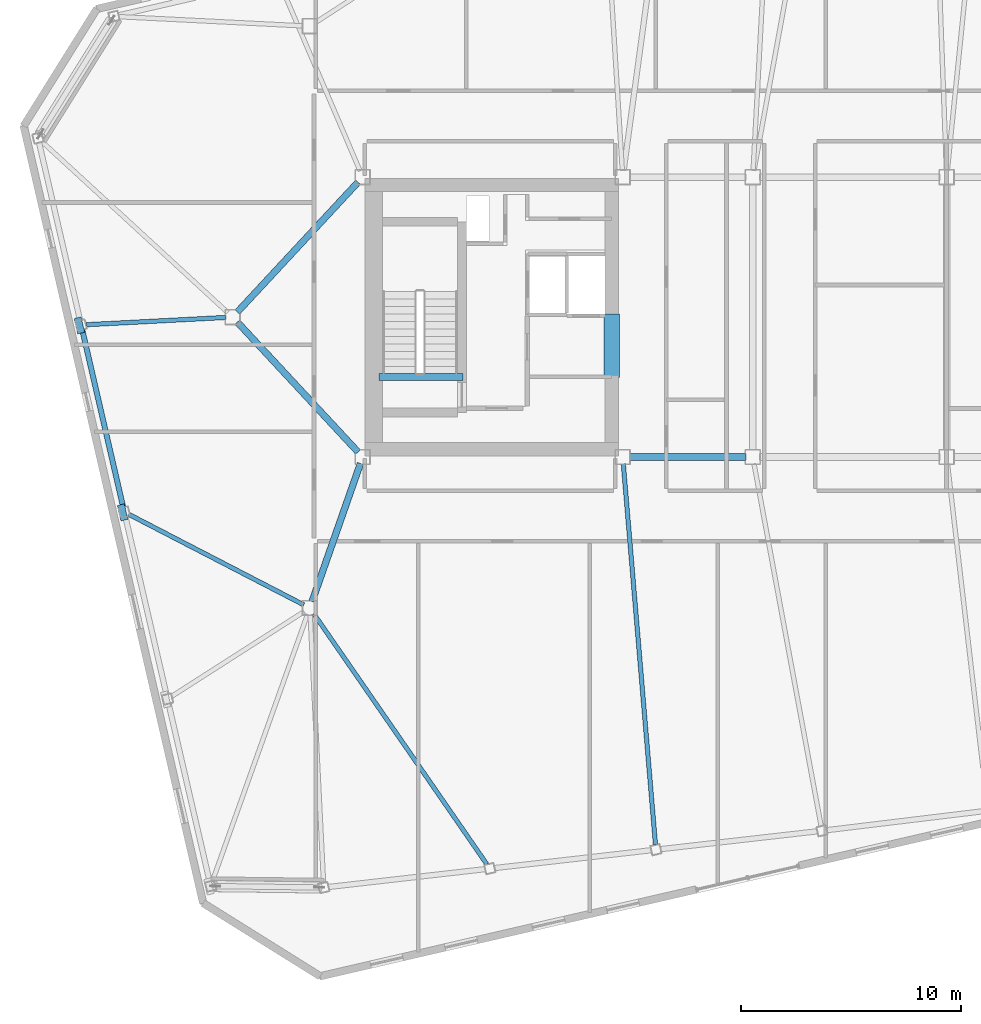
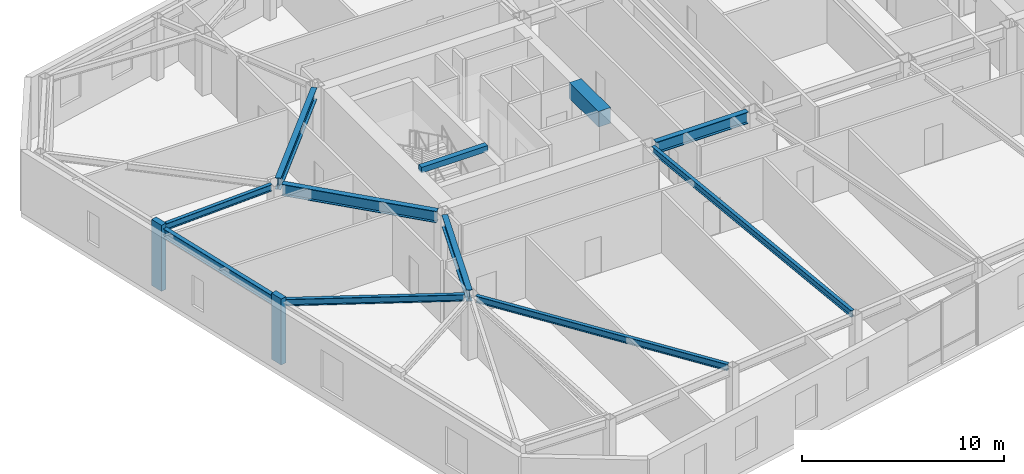
# One storey, part 7 of 22: 11 beams, 2 members.
"""IFC4 building model written with IfcOpenShell, lengths in metres."""

from ifc_helpers import new_model, si_unit, direction, frame, origin, origin_2d, place, context, subcontext, project, spatial, rectangle, i_section, extrude, material, material_profile, profile_set, type_object, element, save


model = new_model("IFC4")

# Units and contexts
model_context = context("Model", 3, precision=1e-05, world=origin(), true_north=direction((0.0, 1.0)))
body_context = subcontext(model_context, "Body", "Model", "MODEL_VIEW")
ifc_project = project(units=[si_unit("LENGTHUNIT", "METRE"), si_unit("AREAUNIT", "SQUARE_METRE"), si_unit("VOLUMEUNIT", "CUBIC_METRE"), si_unit("PLANEANGLEUNIT", "RADIAN"), si_unit("MASSUNIT", "GRAM", prefix="KILO")], contexts=[model_context])

# Site, building, storey
site_placement = place(None, origin())
site = spatial("IfcSite", under=ifc_project, at=site_placement, CompositionType="ELEMENT")
building_placement = place(site_placement, origin())
building = spatial("IfcBuilding", under=site, at=building_placement, Name="Tavrogorsk Clinical Tower", CompositionType="ELEMENT")
storey_placement = place(building_placement, frame((0.0, 0.0, 317.0)))
storey = spatial("IfcBuildingStorey", under=building, at=storey_placement, Name="L74", CompositionType="ELEMENT", Elevation=317.0)

# Beams
ifc_material_1 = material(Name="Concrete B80", Category="concrete")
ifc_material_profile_1 = material_profile(ifc_material_1, rectangle(XDim=0.699951171875, YDim=0.949951171875, at=origin_2d()), Name="RC-CB-700x950")
ifc_profile_set_1 = profile_set([ifc_material_profile_1], Name="Concrete B80")
beam_type_1 = type_object("IfcBeamType", Name="CouplingBeam_RC700x950", PredefinedType="LINTEL", material=ifc_profile_set_1)
beam_1_placement = place(storey_placement, frame((-10.800048828125, -2.75, 3.264892578125), z_axis=(0.0, 1.0, 0.0), x_axis=(-1.0, 0.0, 0.0)))
element("IfcBeam", 1, at=beam_1_placement, inside=storey, type_object=beam_type_1, Name="L74 Core West Coupling Beam", PredefinedType="LINTEL", context=body_context, shape_type="SweptSolid", body=[
    extrude(rectangle(XDim=0.699951171875, YDim=0.949951171875, at=origin_2d()), origin(), (0.0, 0.0, 1.0), 2.89990234375),
])
ifc_material_2 = material(Name="Structural steel S355", Category="steel")
ifc_material_profile_2 = material_profile(ifc_material_2, i_section(OverallWidth=0.199951171875, OverallDepth=0.39990234375, WebThickness=0.010498046875, FlangeThickness=0.01611328125, at=origin_2d()), Name="B-400x200x10.5x16")
ifc_profile_set_2 = profile_set([ifc_material_profile_2], Name="Structural steel S355")
beam_type_2 = type_object("IfcBeamType", Name="FloorBeam_B400", PredefinedType="BEAM", material=ifc_profile_set_2)
beam_2_placement = place(storey_placement, frame((-24.32373046875, -13.455078125, 3.5400390625), z_axis=(0.568335848504, -0.82279667191, 0.0), x_axis=(0.82279667191, 0.568335848504, 0.0)))
element("IfcBeam", 2, at=beam_2_placement, inside=storey, type_object=beam_type_2, Name="L74 Radial Floor Beam S2", PredefinedType="BEAM", context=body_context, shape_type="SweptSolid", body=[
    extrude(i_section(OverallWidth=0.199951171875, OverallDepth=0.39990234375, WebThickness=0.010498046875, FlangeThickness=0.01611328125, at=origin_2d()), origin(), (0.0, 0.0, 1.0), 13.831298828125),
])
beam_3_placement = place(storey_placement, frame((-10.27392578125, -6.658935546875, 3.5400390625), z_axis=(0.084215365049, -0.996447576288, 0.0), x_axis=(0.996447576288, 0.084215365049, 0.0)))
element("IfcBeam", 3, at=beam_3_placement, inside=storey, type_object=beam_type_2, Name="L74 Radial Floor Beam S3", PredefinedType="BEAM", context=body_context, shape_type="SweptSolid", body=[
    extrude(i_section(OverallWidth=0.199951171875, OverallDepth=0.39990234375, WebThickness=0.010498046875, FlangeThickness=0.01611328125, at=origin_2d()), origin(), (0.0, 0.0, 1.0), 17.3388671875),
])
beam_4_placement = place(storey_placement, frame((-28.3095703125, -0.01611328125, 3.5400390625), z_axis=(-0.99864101713, -0.052116397656, 0.0), x_axis=(0.052116397656, -0.99864101713, 0.0)))
element("IfcBeam", 4, at=beam_4_placement, inside=storey, type_object=beam_type_2, Name="L74 Radial Floor Beam W2", PredefinedType="BEAM", context=body_context, shape_type="SweptSolid", body=[
    extrude(i_section(OverallWidth=0.199951171875, OverallDepth=0.39990234375, WebThickness=0.010498046875, FlangeThickness=0.01611328125, at=origin_2d()), origin(), (0.0, 0.0, 1.0), 6.3427734375),
])
beam_5_placement = place(storey_placement, frame((-24.775390625, -13.0576171875, 3.5400390625), z_axis=(-0.888188417157, 0.459479418069, 0.0), x_axis=(-0.459479418069, -0.888188417157, 0.0)))
element("IfcBeam", 5, at=beam_5_placement, inside=storey, type_object=beam_type_2, Name="L74 Radial Floor Beam W3", PredefinedType="BEAM", context=body_context, shape_type="SweptSolid", body=[
    extrude(i_section(OverallWidth=0.199951171875, OverallDepth=0.39990234375, WebThickness=0.010498046875, FlangeThickness=0.01611328125, at=origin_2d()), origin(), (0.0, 0.0, 1.0), 8.93408203125),
])

# Members
ifc_material_3 = material(Name="Precast concrete B45 with limestone cladding", Category="masonry")
ifc_material_profile_3 = material_profile(ifc_material_3, rectangle(XDim=0.320068359375, YDim=0.719970703125, at=origin_2d()), Name="LIMESTONE-FIN-320x720")
ifc_profile_set_3 = profile_set([ifc_material_profile_3], Name="Precast concrete B45 with limestone cladding")
member_type = type_object("IfcMemberType", Name="LimestonePleatFin_320x720", PredefinedType="USERDEFINED", material=ifc_profile_set_3)
for number, where, z_axis, x_axis, name in (
    (6, (-34.95458984375, -0.376708984375, 0.0), (0.0, 0.0, 1.0), (0.974370064785, 0.224951054344, 0.0), "L74 W Pleated Stone Fin 1"),
    (7, (-32.995361328125, -8.863525390625, 0.0), (0.0, 0.0, 1.0), (0.974370064785, 0.224951054344, 0.0), "L74 W Pleated Stone Fin 2"),
):
    element("IfcMember", number, at=place(storey_placement, frame(where, z_axis=z_axis, x_axis=x_axis)), inside=storey, type_object=member_type, Name=name, ObjectType="FIN", PredefinedType="USERDEFINED", context=body_context, shape_type="SweptSolid", body=[
        extrude(rectangle(XDim=0.320068359375, YDim=0.719970703125, at=origin_2d()), origin(), (0.0, 0.0, 1.0), 4.0),
    ])

# Beams
ifc_material_4 = material(Name="Structural steel S390", Category="steel")
ifc_material_profile_4 = material_profile(ifc_material_4, i_section(OverallWidth=0.300048828125, OverallDepth=0.699951171875, WebThickness=0.01708984375, FlangeThickness=0.028076171875, at=origin_2d()), Name="B-700x300x17x28")
ifc_profile_set_4 = profile_set([ifc_material_profile_4], Name="Structural steel S390")
beam_type_3 = type_object("IfcBeamType", Name="PrimaryGirder_B700", PredefinedType="USERDEFINED", material=ifc_profile_set_4)
beam_6_placement = place(storey_placement, frame((-9.989990234375, -6.35009765625, 3.389892578125), z_axis=(1.0, 0.0, 0.0), x_axis=(0.0, 1.0, 0.0)))
element("IfcBeam", 8, at=beam_6_placement, inside=storey, type_object=beam_type_3, Name="L74 Primary Spine Girder MG-01", ObjectType="GIRDER", PredefinedType="USERDEFINED", context=body_context, shape_type="SweptSolid", body=[
    extrude(i_section(OverallWidth=0.300048828125, OverallDepth=0.699951171875, WebThickness=0.01708984375, FlangeThickness=0.028076171875, at=origin_2d()), origin(), (0.0, 0.0, 1.0), 5.280029296875),
])
beam_7_placement = place(storey_placement, frame((-24.3974609375, -12.907470703125, 3.389892578125), z_axis=(0.330666578092, 0.943747643246, 0.0), x_axis=(-0.943747643246, 0.330666578092, 0.0)))
element("IfcBeam", 9, at=beam_7_placement, inside=storey, type_object=beam_type_3, Name="L74 Spine Link Girder OPG-1", ObjectType="GIRDER", PredefinedType="USERDEFINED", context=body_context, shape_type="SweptSolid", body=[
    extrude(i_section(OverallWidth=0.300048828125, OverallDepth=0.699951171875, WebThickness=0.01708984375, FlangeThickness=0.028076171875, at=origin_2d()), origin(), (0.0, 0.0, 1.0), 6.638427734375),
])
for number, where, z_axis, x_axis, name in (
    (10, (-27.7890625, -0.22705078125, 3.389892578125), (0.680677963005, -0.732582767119, 0.0), (0.732582767119, 0.680677963005, 0.0), "L74 Spine Link Girder OPG-5"),
    (11, (-27.7890625, 0.22705078125, 3.389892578125), (0.680677963005, 0.732582767119, 0.0), (-0.732582767119, 0.680677963005, 0.0), "L74 Spine Link Girder OPG-6"),
):
    element("IfcBeam", number, at=place(storey_placement, frame(where, z_axis=z_axis, x_axis=x_axis)), inside=storey, type_object=beam_type_3, Name=name, ObjectType="GIRDER", PredefinedType="USERDEFINED", context=body_context, shape_type="SweptSolid", body=[
        extrude(i_section(OverallWidth=0.300048828125, OverallDepth=0.699951171875, WebThickness=0.01708984375, FlangeThickness=0.028076171875, at=origin_2d()), origin(), (0.0, 0.0, 1.0), 8.0478515625),
    ])
ifc_material_5 = material(Name="Structural steel S390", Category="steel")
ifc_material_profile_5 = material_profile(ifc_material_5, i_section(OverallWidth=0.239990234375, OverallDepth=0.550048828125, WebThickness=0.013916015625, FlangeThickness=0.02197265625, at=origin_2d()), Name="B-550x240x14x22")
ifc_profile_set_5 = profile_set([ifc_material_profile_5], Name="Structural steel S390")
beam_type_4 = type_object("IfcBeamType", Name="SpandrelBeam_B550", PredefinedType="SPANDREL", material=ifc_profile_set_5)
beam_8_placement = place(storey_placement, frame((-34.82421875, -0.585693359375, 3.465087890625), z_axis=(0.224950345141, -0.974370228517, 0.0), x_axis=(0.974370228517, 0.224950345141, 0.0)))
element("IfcBeam", 12, at=beam_8_placement, inside=storey, type_object=beam_type_4, Name="L74 Perimeter Spandrel W2-W3", PredefinedType="SPANDREL", context=body_context, shape_type="SweptSolid", body=[
    extrude(i_section(OverallWidth=0.239990234375, OverallDepth=0.550048828125, WebThickness=0.013916015625, FlangeThickness=0.02197265625, at=origin_2d()), origin(), (0.0, 0.0, 1.0), 8.243896484375),
])
ifc_material_6 = material(Name="Concrete B60", Category="concrete")
ifc_material_profile_6 = material_profile(ifc_material_6, rectangle(XDim=0.300048828125, YDim=0.35009765625, at=origin_2d()), Name="RC-SHB-300x350")
ifc_profile_set_6 = profile_set([ifc_material_profile_6], Name="Concrete B60")
beam_type_5 = type_object("IfcBeamType", Name="StairHeaderBeam_RC300x350", PredefinedType="BEAM", material=ifc_profile_set_6)
beam_9_placement = place(storey_placement, frame((-21.35009765625, -2.719970703125, 3.824951171875), z_axis=(1.0, 0.0, 0.0), x_axis=(0.0, 1.0, 0.0)))
element("IfcBeam", 13, at=beam_9_placement, inside=storey, type_object=beam_type_5, Name="L75 ST-W Landing Header Beam", PredefinedType="BEAM", context=body_context, shape_type="SweptSolid", body=[
    extrude(rectangle(XDim=0.300048828125, YDim=0.35009765625, at=origin_2d()), origin(), (0.0, 0.0, 1.0), 3.800048828125),
])

save(model, "model.ifc")
